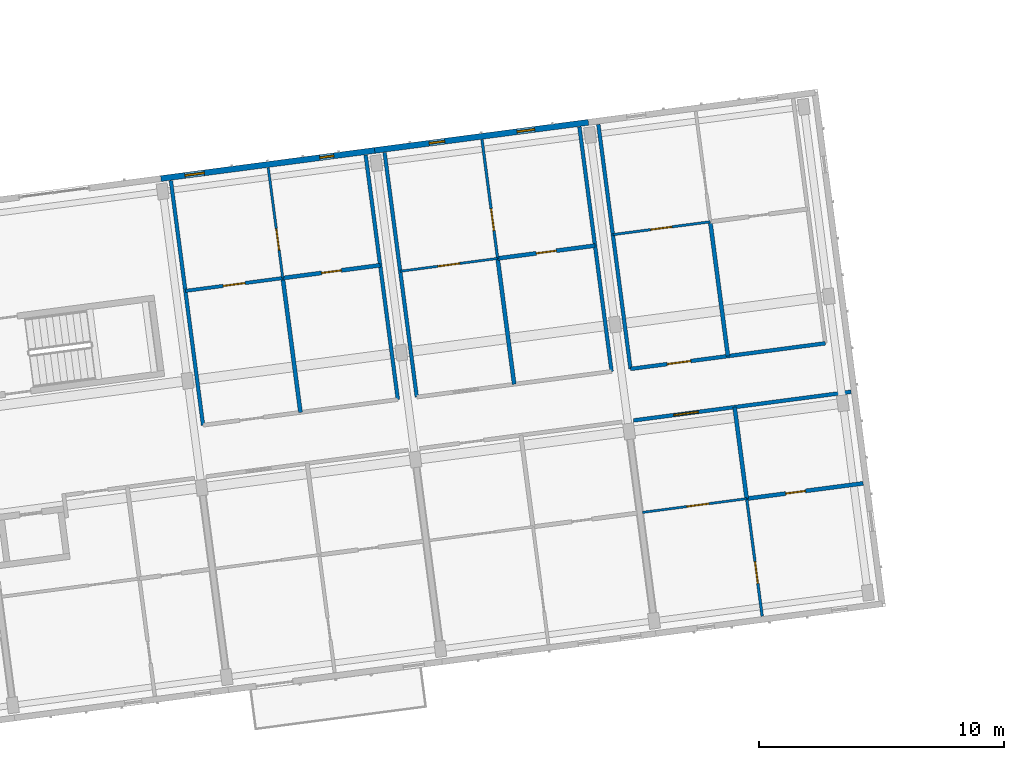
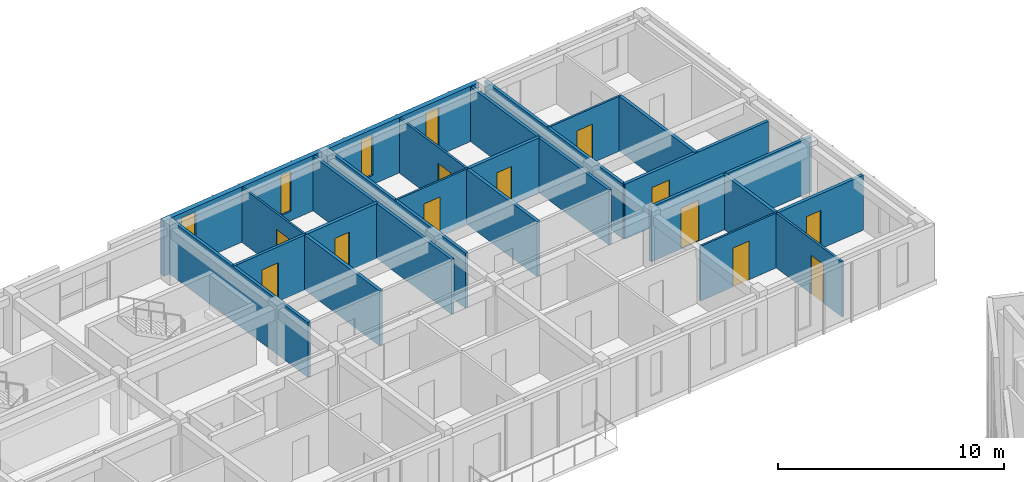
# One storey, part 21 of 45: 23 walls, 12 doors, 4 windows, 16 openings.
"""IFC4 building model written with IfcOpenShell, lengths in metres."""

from ifc_helpers import new_model, si_unit, direction, frame, frame_2d, origin, place, context, subcontext, project, spatial, rectangle, extrude, material, layer, layer_set, type_object, element, fill, save


model = new_model("IFC4")

# Units and contexts
model_context = context("Model", 3, precision=1e-05, world=origin(), true_north=direction((0.0, 1.0)))
body_context = subcontext(model_context, "Body", "Model", "MODEL_VIEW")
ifc_project = project(units=[si_unit("LENGTHUNIT", "METRE"), si_unit("AREAUNIT", "SQUARE_METRE"), si_unit("VOLUMEUNIT", "CUBIC_METRE"), si_unit("PLANEANGLEUNIT", "RADIAN"), si_unit("MASSUNIT", "GRAM", prefix="KILO")], contexts=[model_context])

# Site, building, storey
site_placement = place(None, origin())
site = spatial("IfcSite", under=ifc_project, at=site_placement, CompositionType="ELEMENT")
building_placement = place(site_placement, origin())
building = spatial("IfcBuilding", under=site, at=building_placement, Name="Kestramere Prow Commons", CompositionType="ELEMENT")
storey_placement = place(building_placement, frame((0.0, 0.0, 31.14990234375)))
storey = spatial("IfcBuildingStorey", under=building, at=storey_placement, Name="L09", CompositionType="ELEMENT", Elevation=31.14990234375)

# Wall, openings, windows
ifc_material_1 = material(Name="Fluoropolymer Standing-Seam Zinc-Aluminium Cladding", Category="aluminium")
ifc_layer_1 = layer(ifc_material_1, 0.239990234375)
ifc_layer_set_1 = layer_set([ifc_layer_1], Name="Fluoropolymer Standing-Seam Zinc-Aluminium Cladding")
wall_type_1 = type_object("IfcWallType", Name="EW-SEAM-240", PredefinedType="SOLIDWALL", material=ifc_layer_set_1)
wall_1_placement = place(storey_placement, frame((34.695068359375, 95.79541015625, 0.0), z_axis=(0.0, 0.0, 1.0), x_axis=(0.991447967712, 0.130502595073, 0.0)))
wall_1 = element("IfcWall", 1, at=wall_1_placement, inside=storey, type_object=wall_type_1, Name="Block A L09 North Standing-Seam Wall 4", PredefinedType="SOLIDWALL", context=body_context, shape_type="SweptSolid", body=[
    extrude(rectangle(XDim=8.800048828125, YDim=0.239990234375, at=frame_2d((4.39990234375, 0.0))), origin(), (0.0, 0.0, 1.0), 3.0),
])
opening_1_placement = place(wall_1_placement, frame((0.98876953125, 0.0, 0.43994140625)))
opening_1 = element("IfcOpeningElement", 2, at=opening_1_placement, cuts=wall_1, Name="Opening WN-12", PredefinedType="OPENING", context=body_context, shape_type="SweptSolid", body=[
    extrude(rectangle(XDim=0.800048828125, YDim=2.300048828125, at=frame_2d((0.39990234375, 1.14990234375))), frame((0.0, 0.135009765625, 0.0), z_axis=(0.0, -1.0, 0.0), x_axis=(1.0, 0.0, 0.0)), (0.0, 0.0, 1.0), 0.27001953125),
])
opening_2_placement = place(wall_1_placement, frame((6.5380859375, 0.0, 0.5)))
opening_2 = element("IfcOpeningElement", 3, at=opening_2_placement, cuts=wall_1, Name="Opening WN-01", PredefinedType="OPENING", context=body_context, shape_type="SweptSolid", body=[
    extrude(rectangle(XDim=0.580078125, YDim=2.159912109375, at=frame_2d((0.2900390625, 1.080078125))), frame((0.0, 0.135009765625, 0.0), z_axis=(0.0, -1.0, 0.0), x_axis=(1.0, 0.0, 0.0)), (0.0, 0.0, 1.0), 0.27001953125),
])
ifc_material_2 = material(Name="Low-E Laminated Double Glazing", Category="glass")
window_type_1 = type_object("IfcWindowType", Name="WN-NAR-580A", PartitioningType="SINGLE_PANEL", PredefinedType="WINDOW", material=ifc_material_2)
window_1_placement = place(opening_2_placement, origin())
window_1 = element("IfcWindow", 4, at=window_1_placement, inside=storey, type_object=window_type_1, Name="WN-A-L09-N-3-1", OverallHeight=2.159912109375, OverallWidth=0.580078125, PartitioningType="SINGLE_PANEL", PredefinedType="WINDOW", context=body_context, shape_type="SweptSolid", body=[
    extrude(rectangle(XDim=0.580078125, YDim=2.159912109375, at=frame_2d((0.2900390625, 1.080078125))), frame((0.0, 0.030029296875, 0.0), z_axis=(0.0, -1.0, 0.0), x_axis=(1.0, 0.0, 0.0)), (0.0, 0.0, 1.0), 0.06005859375),
])
fill(opening_2, window_1)
window_type_2 = type_object("IfcWindowType", Name="WN-NAR-800A", PartitioningType="SINGLE_PANEL", PredefinedType="WINDOW", material=ifc_material_2)
window_2_placement = place(opening_1_placement, origin())
window_2 = element("IfcWindow", 5, at=window_2_placement, inside=storey, type_object=window_type_2, Name="WN-A-L09-N-3-0", OverallHeight=2.300048828125, OverallWidth=0.800048828125, PartitioningType="SINGLE_PANEL", PredefinedType="WINDOW", context=body_context, shape_type="SweptSolid", body=[
    extrude(rectangle(XDim=0.800048828125, YDim=2.300048828125, at=frame_2d((0.39990234375, 1.14990234375))), frame((0.0, 0.030029296875, 0.0), z_axis=(0.0, -1.0, 0.0), x_axis=(1.0, 0.0, 0.0)), (0.0, 0.0, 1.0), 0.06005859375),
])
fill(opening_1, window_2)

wall_2_placement = place(storey_placement, frame((43.419921875, 96.94384765625, 0.0), z_axis=(0.0, 0.0, 1.0), x_axis=(0.991443905089, 0.130533455715, 0.0)))
wall_2 = element("IfcWall", 6, at=wall_2_placement, inside=storey, type_object=wall_type_1, Name="Block A L09 North Standing-Seam Wall 5", PredefinedType="SOLIDWALL", context=body_context, shape_type="SweptSolid", body=[
    extrude(rectangle(XDim=8.7998046875, YDim=0.239990234375, at=frame_2d((4.39990234375, 0.0))), origin(), (0.0, 0.0, 1.0), 3.0),
])
opening_3_placement = place(wall_2_placement, frame((2.2412109375, 0.0, 0.5)))
opening_3 = element("IfcOpeningElement", 7, at=opening_3_placement, cuts=wall_2, Name="Opening WN-04", PredefinedType="OPENING", context=body_context, shape_type="SweptSolid", body=[
    extrude(rectangle(XDim=0.639892578125, YDim=2.179931640625, at=frame_2d((0.31982421875, 1.08984375))), frame((0.0, 0.135009765625, 0.0), z_axis=(0.0, -1.0, 0.0), x_axis=(1.0, 0.0, 0.0)), (0.0, 0.0, 1.0), 0.27001953125),
])
opening_4_placement = place(wall_2_placement, frame((5.86083984375, 0.0, 0.43994140625)))
opening_4 = element("IfcOpeningElement", 8, at=opening_4_placement, cuts=wall_2, Name="Opening WN-08", PredefinedType="OPENING", context=body_context, shape_type="SweptSolid", body=[
    extrude(rectangle(XDim=0.719970703125, YDim=2.159912109375, at=frame_2d((0.35986328125, 1.080078125))), frame((0.0, 0.135009765625, 0.0), z_axis=(0.0, -1.0, 0.0), x_axis=(1.0, 0.0, 0.0)), (0.0, 0.0, 1.0), 0.27001953125),
])
window_type_3 = type_object("IfcWindowType", Name="WN-NAR-640A", PartitioningType="SINGLE_PANEL", PredefinedType="WINDOW", material=ifc_material_2)
window_3_placement = place(opening_3_placement, origin())
window_3 = element("IfcWindow", 9, at=window_3_placement, inside=storey, type_object=window_type_3, Name="WN-A-L09-N-4-0", OverallHeight=2.179931640625, OverallWidth=0.639892578125, PartitioningType="SINGLE_PANEL", PredefinedType="WINDOW", context=body_context, shape_type="SweptSolid", body=[
    extrude(rectangle(XDim=0.639892578125, YDim=2.179931640625, at=frame_2d((0.31982421875, 1.08984375))), frame((0.0, 0.030029296875, 0.0), z_axis=(0.0, -1.0, 0.0), x_axis=(1.0, 0.0, 0.0)), (0.0, 0.0, 1.0), 0.06005859375),
])
fill(opening_3, window_3)
window_type_4 = type_object("IfcWindowType", Name="WN-NAR-720A", PartitioningType="SINGLE_PANEL", PredefinedType="WINDOW", material=ifc_material_2)
window_4_placement = place(opening_4_placement, origin())
window_4 = element("IfcWindow", 10, at=window_4_placement, inside=storey, type_object=window_type_4, Name="WN-A-L09-N-4-1", OverallHeight=2.159912109375, OverallWidth=0.719970703125, PartitioningType="SINGLE_PANEL", PredefinedType="WINDOW", context=body_context, shape_type="SweptSolid", body=[
    extrude(rectangle(XDim=0.719970703125, YDim=2.159912109375, at=frame_2d((0.35986328125, 1.080078125))), frame((0.0, 0.030029296875, 0.0), z_axis=(0.0, -1.0, 0.0), x_axis=(1.0, 0.0, 0.0)), (0.0, 0.0, 1.0), 0.06005859375),
])
fill(opening_4, window_4)

# Wall, opening, door
ifc_material_3 = material(Name="Fire-Rated Calcium Silicate Wall")
ifc_layer_2 = layer(ifc_material_3, 0.155029296875)
ifc_layer_set_2 = layer_set([ifc_layer_2], Name="Fire-Rated Calcium Silicate Wall")
wall_type_2 = type_object("IfcWallType", Name="W-FIRE-150", PredefinedType="PARTITIONING", material=ifc_layer_set_2)
wall_3_placement = place(storey_placement, frame((53.983642578125, 85.923583984375, 0.0), z_axis=(0.0, 0.0, 1.0), x_axis=(0.991445946609, 0.130517948779, 0.0)))
wall_3 = element("IfcWall", 11, at=wall_3_placement, inside=storey, type_object=wall_type_2, Name="Interior Partition PW-A-L09-CS-5", PredefinedType="PARTITIONING", context=body_context, shape_type="SweptSolid", body=[
    extrude(rectangle(XDim=8.9599609375, YDim=0.155029296875, at=frame_2d((4.47998046875, 0.0))), origin(), (0.0, 0.0, 1.0), 2.97021484375),
])
opening_5_placement = place(wall_3_placement, frame((1.655029296875, 0.0, 0.0)))
opening_5 = element("IfcOpeningElement", 12, at=opening_5_placement, cuts=wall_3, Name="Opening ID-05", PredefinedType="OPENING", context=body_context, shape_type="SweptSolid", body=[
    extrude(rectangle(XDim=1.02001953125, YDim=2.199951171875, at=frame_2d((0.510009765625, 1.10009765625))), frame((0.0, 0.092529296875, 0.0), z_axis=(0.0, -1.0, 0.0), x_axis=(1.0, 0.0, 0.0)), (0.0, 0.0, 1.0), 0.18505859375),
])
ifc_material_4 = material(Name="Hardwood Fire-Rated Flat Entrance Door", Category="wood")
door_type_1 = type_object("IfcDoorType", Name="FD-ENT-02", OperationType="NOTDEFINED", PredefinedType="DOOR", material=ifc_material_4)
door_1_placement = place(opening_5_placement, origin())
door_1 = element("IfcDoor", 13, at=door_1_placement, inside=storey, type_object=door_type_1, Name="Interior Door DR-A-L09-ENT-S5", OperationType="SINGLE_SWING_LEFT", OverallHeight=2.199951171875, OverallWidth=1.02001953125, PredefinedType="DOOR", context=body_context, shape_type="SweptSolid", body=[
    extrude(rectangle(XDim=1.02001953125, YDim=2.199951171875, at=frame_2d((0.510009765625, 1.10009765625))), frame((0.0, 0.02490234375, 0.0), z_axis=(0.0, -1.0, 0.0), x_axis=(1.0, 0.0, 0.0)), (0.0, 0.0, 1.0), 0.050048828125),
])
fill(opening_5, door_1)

wall_4_placement = place(storey_placement, frame((53.86328125, 88.02587890625, 0.0), z_axis=(0.0, 0.0, 1.0), x_axis=(0.991447973994, 0.130502547346, 0.0)))
wall_4 = element("IfcWall", 14, at=wall_4_placement, inside=storey, type_object=wall_type_2, Name="Interior Partition PW-A-L09-CN-5", PredefinedType="PARTITIONING", context=body_context, shape_type="SweptSolid", body=[
    extrude(rectangle(XDim=8.02001953125, YDim=0.155029296875, at=frame_2d((4.010009765625, 0.0))), origin(), (0.0, 0.0, 1.0), 2.97021484375),
])
opening_6_placement = place(wall_4_placement, frame((1.5048828125, 0.0, 0.0)))
opening_6 = element("IfcOpeningElement", 15, at=opening_6_placement, cuts=wall_4, Name="Opening ID-04", PredefinedType="OPENING", context=body_context, shape_type="SweptSolid", body=[
    extrude(rectangle(XDim=0.97998046875, YDim=2.14990234375, at=frame_2d((0.489990234375, 1.074951171875))), frame((0.0, 0.092529296875, 0.0), z_axis=(0.0, -1.0, 0.0), x_axis=(1.0, 0.0, 0.0)), (0.0, 0.0, 1.0), 0.18505859375),
])
door_type_2 = type_object("IfcDoorType", Name="FD-ENT-01", OperationType="NOTDEFINED", PredefinedType="DOOR", material=ifc_material_4)
door_2_placement = place(opening_6_placement, origin())
door_2 = element("IfcDoor", 16, at=door_2_placement, inside=storey, type_object=door_type_2, Name="Interior Door DR-A-L09-ENT-N5", OperationType="SINGLE_SWING_RIGHT", OverallHeight=2.14990234375, OverallWidth=0.97998046875, PredefinedType="DOOR", context=body_context, shape_type="SweptSolid", body=[
    extrude(rectangle(XDim=0.97998046875, YDim=2.14990234375, at=frame_2d((0.489990234375, 1.074951171875))), frame((0.0, 0.02490234375, 0.0), z_axis=(0.0, -1.0, 0.0), x_axis=(1.0, 0.0, 0.0)), (0.0, 0.0, 1.0), 0.050048828125),
])
fill(opening_6, door_2)

ifc_material_5 = material(Name="Gypsum Acoustic Drywall")
ifc_layer_3 = layer(ifc_material_5, 0.10009765625)
ifc_layer_set_3 = layer_set([ifc_layer_3], Name="Gypsum Acoustic Drywall")
wall_type_3 = type_object("IfcWallType", Name="W-PART-100", PredefinedType="PARTITIONING", material=ifc_layer_set_3)
wall_5_placement = place(storey_placement, frame((39.667724609375, 91.734619140625, 0.0), z_axis=(0.0, 0.0, 1.0), x_axis=(-0.130564403497, 0.991439830015, 0.0)))
wall_5 = element("IfcWall", 17, at=wall_5_placement, inside=storey, type_object=wall_type_3, Name="Interior Partition PW-A-L09-LB-N3", PredefinedType="PARTITIONING", context=body_context, shape_type="SweptSolid", body=[
    extrude(rectangle(XDim=4.5400390625, YDim=0.10009765625, at=frame_2d((2.27001953125, 0.0))), origin(), (0.0, 0.0, 1.0), 2.97021484375),
])
opening_7_placement = place(wall_5_placement, frame((1.14990234375, 0.0, 0.0)))
opening_7 = element("IfcOpeningElement", 18, at=opening_7_placement, cuts=wall_5, Name="Opening ID-10", PredefinedType="OPENING", context=body_context, shape_type="SweptSolid", body=[
    extrude(rectangle(XDim=0.8798828125, YDim=2.10009765625, at=frame_2d((0.43994140625, 1.050048828125))), frame((0.0, 0.06494140625, 0.0), z_axis=(0.0, -1.0, 0.0), x_axis=(1.0, 0.0, 0.0)), (0.0, 0.0, 1.0), 0.130126953125),
])
ifc_material_6 = material(Name="Engineered Timber Bedroom Door", Category="wood")
door_type_3 = type_object("IfcDoorType", Name="D-RM-03", OperationType="NOTDEFINED", PredefinedType="DOOR", material=ifc_material_6)
door_3_placement = place(opening_7_placement, origin())
door_3 = element("IfcDoor", 19, at=door_3_placement, inside=storey, type_object=door_type_3, Name="Interior Door DR-A-L09-BED-N3", OperationType="SINGLE_SWING_LEFT", OverallHeight=2.10009765625, OverallWidth=0.8798828125, PredefinedType="DOOR", context=body_context, shape_type="SweptSolid", body=[
    extrude(rectangle(XDim=0.8798828125, YDim=2.10009765625, at=frame_2d((0.43994140625, 1.050048828125))), frame((0.0, 0.02490234375, 0.0), z_axis=(0.0, -1.0, 0.0), x_axis=(1.0, 0.0, 0.0)), (0.0, 0.0, 1.0), 0.050048828125),
])
fill(opening_7, door_3)

wall_6_placement = place(storey_placement, frame((53.141357421875, 93.508544921875, 0.0), z_axis=(0.0, 0.0, 1.0), x_axis=(0.991444553502, 0.130528530716, 0.0)))
wall_6 = element("IfcWall", 20, at=wall_6_placement, inside=storey, type_object=wall_type_3, Name="Interior Partition PW-A-L09-MIDN1-5", PredefinedType="PARTITIONING", context=body_context, shape_type="SweptSolid", body=[
    extrude(rectangle(XDim=4.01025390625, YDim=0.10009765625, at=frame_2d((2.005126953125, 0.0))), origin(), (0.0, 0.0, 1.0), 2.97021484375),
])
opening_8_placement = place(wall_6_placement, frame((1.554931640625, 0.0, 0.0)))
opening_8 = element("IfcOpeningElement", 21, at=opening_8_placement, cuts=wall_6, Name="Opening ID-10", PredefinedType="OPENING", context=body_context, shape_type="SweptSolid", body=[
    extrude(rectangle(XDim=0.8798828125, YDim=2.10009765625, at=frame_2d((0.43994140625, 1.050048828125))), frame((0.0, 0.06494140625, 0.0), z_axis=(0.0, -1.0, 0.0), x_axis=(1.0, 0.0, 0.0)), (0.0, 0.0, 1.0), 0.130126953125),
])
door_4_placement = place(opening_8_placement, origin())
door_4 = element("IfcDoor", 22, at=door_4_placement, inside=storey, type_object=door_type_3, Name="Interior Door DR-A-L09-KL-N5", OperationType="SINGLE_SWING_LEFT", OverallHeight=2.10009765625, OverallWidth=0.8798828125, PredefinedType="DOOR", context=body_context, shape_type="SweptSolid", body=[
    extrude(rectangle(XDim=0.8798828125, YDim=2.10009765625, at=frame_2d((0.43994140625, 1.050048828125))), frame((0.0, 0.02490234375, 0.0), z_axis=(0.0, -1.0, 0.0), x_axis=(1.0, 0.0, 0.0)), (0.0, 0.0, 1.0), 0.050048828125),
])
fill(opening_8, door_4)

ifc_layer_4 = layer(ifc_material_5, 0.110107421875)
ifc_layer_set_4 = layer_set([ifc_layer_4], Name="Gypsum Acoustic Drywall")
wall_type_4 = type_object("IfcWallType", Name="W-PART-110", PredefinedType="PARTITIONING", material=ifc_layer_set_4)
wall_7_placement = place(storey_placement, frame((59.23681640625, 77.930908203125, 0.0), z_axis=(0.0, 0.0, 1.0), x_axis=(-0.130544545786, 0.991442444908, 0.0)))
wall_7 = element("IfcWall", 23, at=wall_7_placement, inside=storey, type_object=wall_type_4, Name="Interior Partition PW-A-L09-LB-S5", PredefinedType="PARTITIONING", context=body_context, shape_type="SweptSolid", body=[
    extrude(rectangle(XDim=4.840087890625, YDim=0.110107421875, at=frame_2d((2.419921875, 0.0))), origin(), (0.0, 0.0, 1.0), 2.97021484375),
])
opening_9_placement = place(wall_7_placement, frame((1.35009765625, 0.0, 0.0)))
opening_9 = element("IfcOpeningElement", 24, at=opening_9_placement, cuts=wall_7, Name="Opening ID-08", PredefinedType="OPENING", context=body_context, shape_type="SweptSolid", body=[
    extrude(rectangle(XDim=0.89990234375, YDim=2.10009765625, at=frame_2d((0.449951171875, 1.050048828125))), frame((0.0, 0.070068359375, 0.0), z_axis=(0.0, -1.0, 0.0), x_axis=(1.0, 0.0, 0.0)), (0.0, 0.0, 1.0), 0.14013671875),
])
ifc_material_7 = material(Name="Engineered Timber Flush Door", Category="wood")
door_type_4 = type_object("IfcDoorType", Name="D-RM-01", OperationType="NOTDEFINED", PredefinedType="DOOR", material=ifc_material_7)
door_5_placement = place(opening_9_placement, origin())
door_5 = element("IfcDoor", 25, at=door_5_placement, inside=storey, type_object=door_type_4, Name="Interior Door DR-A-L09-BED-S5", OperationType="SINGLE_SWING_RIGHT", OverallHeight=2.10009765625, OverallWidth=0.89990234375, PredefinedType="DOOR", context=body_context, shape_type="SweptSolid", body=[
    extrude(rectangle(XDim=0.89990234375, YDim=2.10009765625, at=frame_2d((0.449951171875, 1.050048828125))), frame((0.0, 0.02490234375, 0.0), z_axis=(0.0, -1.0, 0.0), x_axis=(1.0, 0.0, 0.0)), (0.0, 0.0, 1.0), 0.050048828125),
])
fill(opening_9, door_5)

wall_8_placement = place(storey_placement, frame((48.43798828125, 92.5361328125, 0.0), z_axis=(0.0, 0.0, 1.0), x_axis=(-0.130508755558, 0.991447156798, 0.0)))
wall_8 = element("IfcWall", 26, at=wall_8_placement, inside=storey, type_object=wall_type_4, Name="Interior Partition PW-A-L09-LB-N4", PredefinedType="PARTITIONING", context=body_context, shape_type="SweptSolid", body=[
    extrude(rectangle(XDim=4.889892578125, YDim=0.110107421875, at=frame_2d((2.44482421875, 0.0))), origin(), (0.0, 0.0, 1.0), 2.97021484375),
])
opening_10_placement = place(wall_8_placement, frame((1.14990234375, 0.0, 0.0)))
opening_10 = element("IfcOpeningElement", 27, at=opening_10_placement, cuts=wall_8, Name="Opening ID-08", PredefinedType="OPENING", context=body_context, shape_type="SweptSolid", body=[
    extrude(rectangle(XDim=0.89990234375, YDim=2.10009765625, at=frame_2d((0.449951171875, 1.050048828125))), frame((0.0, 0.070068359375, 0.0), z_axis=(0.0, -1.0, 0.0), x_axis=(1.0, 0.0, 0.0)), (0.0, 0.0, 1.0), 0.14013671875),
])
door_6_placement = place(opening_10_placement, origin())
door_6 = element("IfcDoor", 28, at=door_6_placement, inside=storey, type_object=door_type_4, Name="Interior Door DR-A-L09-BED-N4", OperationType="SINGLE_SWING_LEFT", OverallHeight=2.10009765625, OverallWidth=0.89990234375, PredefinedType="DOOR", context=body_context, shape_type="SweptSolid", body=[
    extrude(rectangle(XDim=0.89990234375, YDim=2.10009765625, at=frame_2d((0.449951171875, 1.050048828125))), frame((0.0, 0.02490234375, 0.0), z_axis=(0.0, -1.0, 0.0), x_axis=(1.0, 0.0, 0.0)), (0.0, 0.0, 1.0), 0.050048828125),
])
fill(opening_10, door_6)

ifc_material_8 = material(Name="Masonry Compartment Wall", Category="masonry")
ifc_layer_5 = layer(ifc_material_8, 0.139892578125)
ifc_layer_set_5 = layer_set([ifc_layer_5], Name="Masonry Compartment Wall")
wall_type_5 = type_object("IfcWallType", Name="W-PART-140", PredefinedType="PARTITIONING", material=ifc_layer_set_5)
wall_9_placement = place(storey_placement, frame((35.69189453125, 91.211181640625, 0.0), z_axis=(0.0, 0.0, 1.0), x_axis=(0.991444553502, 0.130528530716, 0.0)))
wall_9 = element("IfcWall", 29, at=wall_9_placement, inside=storey, type_object=wall_type_5, Name="Interior Partition PW-A-L09-MIDN1-3", PredefinedType="PARTITIONING", context=body_context, shape_type="SweptSolid", body=[
    extrude(rectangle(XDim=4.01025390625, YDim=0.139892578125, at=frame_2d((2.005126953125, 0.0))), origin(), (0.0, 0.0, 1.0), 2.97021484375),
])
opening_11_placement = place(wall_9_placement, frame((1.554931640625, 0.0, 0.0)))
opening_11 = element("IfcOpeningElement", 30, at=opening_11_placement, cuts=wall_9, Name="Opening ID-08", PredefinedType="OPENING", context=body_context, shape_type="SweptSolid", body=[
    extrude(rectangle(XDim=0.89990234375, YDim=2.10009765625, at=frame_2d((0.449951171875, 1.050048828125))), frame((0.0, 0.0849609375, 0.0), z_axis=(0.0, -1.0, 0.0), x_axis=(1.0, 0.0, 0.0)), (0.0, 0.0, 1.0), 0.169921875),
])
door_7_placement = place(opening_11_placement, origin())
door_7 = element("IfcDoor", 31, at=door_7_placement, inside=storey, type_object=door_type_4, Name="Interior Door DR-A-L09-KL-N3", OperationType="SINGLE_SWING_LEFT", OverallHeight=2.10009765625, OverallWidth=0.89990234375, PredefinedType="DOOR", context=body_context, shape_type="SweptSolid", body=[
    extrude(rectangle(XDim=0.89990234375, YDim=2.10009765625, at=frame_2d((0.449951171875, 1.050048828125))), frame((0.0, 0.02490234375, 0.0), z_axis=(0.0, -1.0, 0.0), x_axis=(1.0, 0.0, 0.0)), (0.0, 0.0, 1.0), 0.050048828125),
])
fill(opening_11, door_7)

# Walls
ifc_layer_6 = layer(ifc_material_8, 0.14990234375)
ifc_layer_set_6 = layer_set([ifc_layer_6], Name="Masonry Compartment Wall")
wall_type_6 = type_object("IfcWallType", Name="W-PART-150", PredefinedType="PARTITIONING", material=ifc_layer_set_6)
for number, where, z_axis, x_axis, name in (
    (32, (36.413818359375, 85.728515625, 0.0), (0.0, 0.0, 1.0), (-0.130531024319, 0.991444225204, 0.0), "Interior Partition PW-A-L09-NWL-3"),
    (33, (44.365234375, 86.775390625, 0.0), (0.0, 0.0, 1.0), (-0.130531024319, 0.991444225204, 0.0), "Interior Partition PW-A-L09-NWR-3"),
    (34, (45.138427734375, 86.877197265625, 0.0), (0.0, 0.0, 1.0), (-0.130531024319, 0.991444225204, 0.0), "Interior Partition PW-A-L09-NWL-4"),
):
    element("IfcWall", number, at=place(storey_placement, frame(where, z_axis=z_axis, x_axis=x_axis)), inside=storey, type_object=wall_type_6, Name=name, PredefinedType="PARTITIONING", context=body_context, shape_type="SweptSolid", body=[
        extrude(rectangle(XDim=10.070068359375, YDim=0.14990234375, at=frame_2d((5.03515625, 0.0))), origin(), (0.0, 0.0, 1.0), 2.97021484375),
    ])
for number, where, z_axis, x_axis, name in (
    (35, (53.08984375, 87.924072265625, 0.0), (0.0, 0.0, 1.0), (-0.130534161944, 0.991443812107, 0.0), "Interior Partition PW-A-L09-NWR-4"),
    (36, (53.86328125, 88.02587890625, 0.0), (0.0, 0.0, 1.0), (-0.130534161944, 0.991443812107, 0.0), "Interior Partition PW-A-L09-NWL-5"),
):
    element("IfcWall", number, at=place(storey_placement, frame(where, z_axis=z_axis, x_axis=x_axis)), inside=storey, type_object=wall_type_6, Name=name, PredefinedType="PARTITIONING", context=body_context, shape_type="SweptSolid", body=[
        extrude(rectangle(XDim=10.06982421875, YDim=0.14990234375, at=frame_2d((5.034912109375, 0.0))), origin(), (0.0, 0.0, 1.0), 2.97021484375),
    ])

# Wall, opening, door
ifc_layer_7 = layer(ifc_material_5, 0.094970703125)
ifc_layer_set_7 = layer_set([ifc_layer_7], Name="Gypsum Acoustic Drywall")
wall_type_7 = type_object("IfcWallType", Name="W-PART-95", PredefinedType="PARTITIONING", material=ifc_layer_set_7)
wall_10_placement = place(storey_placement, frame((54.356689453125, 82.170166015625, 0.0), z_axis=(0.0, 0.0, 1.0), x_axis=(0.991444014242, 0.130532626667, 0.0)))
wall_10 = element("IfcWall", 37, at=wall_10_placement, inside=storey, type_object=wall_type_7, Name="Interior Partition PW-A-L09-MIDS1-5", PredefinedType="PARTITIONING", context=body_context, shape_type="SweptSolid", body=[
    extrude(rectangle(XDim=4.284912109375, YDim=0.094970703125, at=frame_2d((2.142578125, 0.0))), origin(), (0.0, 0.0, 1.0), 2.97021484375),
])
opening_12_placement = place(wall_10_placement, frame((1.824951171875, 0.0, 0.0)))
opening_12 = element("IfcOpeningElement", 38, at=opening_12_placement, cuts=wall_10, Name="Opening ID-08", PredefinedType="OPENING", context=body_context, shape_type="SweptSolid", body=[
    extrude(rectangle(XDim=0.89990234375, YDim=2.10009765625, at=frame_2d((0.449951171875, 1.050048828125))), frame((0.0, 0.0625, 0.0), z_axis=(0.0, -1.0, 0.0), x_axis=(1.0, 0.0, 0.0)), (0.0, 0.0, 1.0), 0.125),
])
door_8_placement = place(opening_12_placement, origin())
door_8 = element("IfcDoor", 39, at=door_8_placement, inside=storey, type_object=door_type_4, Name="Interior Door DR-A-L09-KL-S5", OperationType="SINGLE_SWING_RIGHT", OverallHeight=2.10009765625, OverallWidth=0.89990234375, PredefinedType="DOOR", context=body_context, shape_type="SweptSolid", body=[
    extrude(rectangle(XDim=0.89990234375, YDim=2.10009765625, at=frame_2d((0.449951171875, 1.050048828125))), frame((0.0, 0.02490234375, 0.0), z_axis=(0.0, -1.0, 0.0), x_axis=(1.0, 0.0, 0.0)), (0.0, 0.0, 1.0), 0.050048828125),
])
fill(opening_12, door_8)

wall_11_placement = place(storey_placement, frame((44.46240234375, 92.012939453125, 0.0), z_axis=(0.0, 0.0, 1.0), x_axis=(0.991451394038, 0.130476562111, 0.0)))
wall_11 = element("IfcWall", 40, at=wall_11_placement, inside=storey, type_object=wall_type_7, Name="Interior Partition PW-A-L09-MIDN1-4", PredefinedType="PARTITIONING", context=body_context, shape_type="SweptSolid", body=[
    extrude(rectangle(XDim=4.009765625, YDim=0.094970703125, at=frame_2d((2.0048828125, 0.0))), origin(), (0.0, 0.0, 1.0), 2.97021484375),
])
opening_13_placement = place(wall_11_placement, frame((1.554931640625, 0.0, 0.0)))
opening_13 = element("IfcOpeningElement", 41, at=opening_13_placement, cuts=wall_11, Name="Opening ID-08", PredefinedType="OPENING", context=body_context, shape_type="SweptSolid", body=[
    extrude(rectangle(XDim=0.89990234375, YDim=2.10009765625, at=frame_2d((0.449951171875, 1.050048828125))), frame((0.0, 0.0625, 0.0), z_axis=(0.0, -1.0, 0.0), x_axis=(1.0, 0.0, 0.0)), (0.0, 0.0, 1.0), 0.125),
])
door_9_placement = place(opening_13_placement, origin())
door_9 = element("IfcDoor", 42, at=door_9_placement, inside=storey, type_object=door_type_4, Name="Interior Door DR-A-L09-KL-N4", OperationType="SINGLE_SWING_LEFT", OverallHeight=2.10009765625, OverallWidth=0.89990234375, PredefinedType="DOOR", context=body_context, shape_type="SweptSolid", body=[
    extrude(rectangle(XDim=0.89990234375, YDim=2.10009765625, at=frame_2d((0.449951171875, 1.050048828125))), frame((0.0, 0.02490234375, 0.0), z_axis=(0.0, -1.0, 0.0), x_axis=(1.0, 0.0, 0.0)), (0.0, 0.0, 1.0), 0.050048828125),
])
fill(opening_13, door_9)

ifc_material_9 = material(Name="Waterproof Sanitary Masonry Wall", Category="masonry")
ifc_layer_8 = layer(ifc_material_9, 0.1650390625)
ifc_layer_set_8 = layer_set([ifc_layer_8], Name="Waterproof Sanitary Masonry Wall")
wall_type_8 = type_object("IfcWallType", Name="W-PLUMB-150", PredefinedType="PLUMBINGWALL", material=ifc_layer_set_8)
wall_12_placement = place(storey_placement, frame((58.60498046875, 82.7294921875, 0.0), z_axis=(0.0, 0.0, 1.0), x_axis=(0.991449269254, 0.130492706676, 0.0)))
wall_12 = element("IfcWall", 43, at=wall_12_placement, inside=storey, type_object=wall_type_8, Name="Interior Partition PW-A-L09-MIDS2-5", PredefinedType="PLUMBINGWALL", context=body_context, shape_type="SweptSolid", body=[
    extrude(rectangle(XDim=4.795166015625, YDim=0.1650390625, at=frame_2d((2.3974609375, 0.0))), origin(), (0.0, 0.0, 1.0), 2.97021484375),
])
opening_14_placement = place(wall_12_placement, frame((1.60009765625, 0.0, 0.0)))
opening_14 = element("IfcOpeningElement", 44, at=opening_14_placement, cuts=wall_12, Name="Opening ID-11", PredefinedType="OPENING", context=body_context, shape_type="SweptSolid", body=[
    extrude(rectangle(XDim=0.820068359375, YDim=2.080078125, at=frame_2d((0.41015625, 1.0400390625))), frame((0.0, 0.097412109375, 0.0), z_axis=(0.0, -1.0, 0.0), x_axis=(1.0, 0.0, 0.0)), (0.0, 0.0, 1.0), 0.195068359375),
])
ifc_material_10 = material(Name="Moisture-Resistant Timber Bathroom Door", Category="wood")
door_type_5 = type_object("IfcDoorType", Name="D-BT-01", OperationType="NOTDEFINED", PredefinedType="DOOR", material=ifc_material_10)
door_10_placement = place(opening_14_placement, origin())
door_10 = element("IfcDoor", 45, at=door_10_placement, inside=storey, type_object=door_type_5, Name="Interior Door DR-A-L09-BTH-S5", OperationType="SINGLE_SWING_LEFT", OverallHeight=2.080078125, OverallWidth=0.820068359375, PredefinedType="DOOR", context=body_context, shape_type="SweptSolid", body=[
    extrude(rectangle(XDim=0.820068359375, YDim=2.080078125, at=frame_2d((0.41015625, 1.0400390625))), frame((0.0, 0.02490234375, 0.0), z_axis=(0.0, -1.0, 0.0), x_axis=(1.0, 0.0, 0.0)), (0.0, 0.0, 1.0), 0.050048828125),
])
fill(opening_14, door_10)

# Wall
wall_13_placement = place(storey_placement, frame((58.60498046875, 82.7294921875, 0.0), z_axis=(0.0, 0.0, 1.0), x_axis=(-0.130496394248, 0.991448783896, 0.0)))
element("IfcWall", 46, at=wall_13_placement, inside=storey, type_object=wall_type_8, Name="Interior Partition PW-A-L09-KB-S5", PredefinedType="PLUMBINGWALL", context=body_context, shape_type="SweptSolid", body=[
    extrude(rectangle(XDim=3.769775390625, YDim=0.1650390625, at=frame_2d((1.884765625, 0.0))), origin(), (0.0, 0.0, 1.0), 2.97021484375),
])

# Wall, opening, door
wall_14_placement = place(storey_placement, frame((39.667724609375, 91.734619140625, 0.0), z_axis=(0.0, 0.0, 1.0), x_axis=(0.991443516139, 0.130536409887, 0.0)))
wall_14 = element("IfcWall", 47, at=wall_14_placement, inside=storey, type_object=wall_type_8, Name="Interior Partition PW-A-L09-MIDN2-3", PredefinedType="PLUMBINGWALL", context=body_context, shape_type="SweptSolid", body=[
    extrude(rectangle(XDim=4.010009765625, YDim=0.1650390625, at=frame_2d((2.0048828125, 0.0))), origin(), (0.0, 0.0, 1.0), 2.97021484375),
])
opening_15_placement = place(wall_14_placement, frame((1.594970703125, 0.0, 0.0)))
opening_15 = element("IfcOpeningElement", 48, at=opening_15_placement, cuts=wall_14, Name="Opening ID-11", PredefinedType="OPENING", context=body_context, shape_type="SweptSolid", body=[
    extrude(rectangle(XDim=0.820068359375, YDim=2.080078125, at=frame_2d((0.41015625, 1.0400390625))), frame((0.0, 0.097412109375, 0.0), z_axis=(0.0, -1.0, 0.0), x_axis=(1.0, 0.0, 0.0)), (0.0, 0.0, 1.0), 0.195068359375),
])
door_11_placement = place(opening_15_placement, origin())
door_11 = element("IfcDoor", 49, at=door_11_placement, inside=storey, type_object=door_type_5, Name="Interior Door DR-A-L09-BTH-N3", OperationType="SINGLE_SWING_RIGHT", OverallHeight=2.080078125, OverallWidth=0.820068359375, PredefinedType="DOOR", context=body_context, shape_type="SweptSolid", body=[
    extrude(rectangle(XDim=0.820068359375, YDim=2.080078125, at=frame_2d((0.41015625, 1.0400390625))), frame((0.0, 0.02490234375, 0.0), z_axis=(0.0, -1.0, 0.0), x_axis=(1.0, 0.0, 0.0)), (0.0, 0.0, 1.0), 0.050048828125),
])
fill(opening_15, door_11)

# Wall
wall_15_placement = place(storey_placement, frame((40.389404296875, 86.251953125, 0.0), z_axis=(0.0, 0.0, 1.0), x_axis=(-0.130503619975, 0.991447832805, 0.0)))
element("IfcWall", 50, at=wall_15_placement, inside=storey, type_object=wall_type_8, Name="Interior Partition PW-A-L09-KB-N3", PredefinedType="PLUMBINGWALL", context=body_context, shape_type="SweptSolid", body=[
    extrude(rectangle(XDim=5.530029296875, YDim=0.1650390625, at=frame_2d((2.76513671875, 0.0))), origin(), (0.0, 0.0, 1.0), 2.97021484375),
])

# Wall, opening, door
wall_16_placement = place(storey_placement, frame((48.43798828125, 92.5361328125, 0.0), z_axis=(0.0, 0.0, 1.0), x_axis=(0.991444553502, 0.130528530716, 0.0)))
wall_16 = element("IfcWall", 51, at=wall_16_placement, inside=storey, type_object=wall_type_8, Name="Interior Partition PW-A-L09-MIDN2-4", PredefinedType="PLUMBINGWALL", context=body_context, shape_type="SweptSolid", body=[
    extrude(rectangle(XDim=4.01025390625, YDim=0.1650390625, at=frame_2d((2.005126953125, 0.0))), origin(), (0.0, 0.0, 1.0), 2.97021484375),
])
opening_16_placement = place(wall_16_placement, frame((1.594970703125, 0.0, 0.0)))
opening_16 = element("IfcOpeningElement", 52, at=opening_16_placement, cuts=wall_16, Name="Opening ID-11", PredefinedType="OPENING", context=body_context, shape_type="SweptSolid", body=[
    extrude(rectangle(XDim=0.820068359375, YDim=2.080078125, at=frame_2d((0.41015625, 1.0400390625))), frame((0.0, 0.097412109375, 0.0), z_axis=(0.0, -1.0, 0.0), x_axis=(1.0, 0.0, 0.0)), (0.0, 0.0, 1.0), 0.195068359375),
])
door_12_placement = place(opening_16_placement, origin())
door_12 = element("IfcDoor", 53, at=door_12_placement, inside=storey, type_object=door_type_5, Name="Interior Door DR-A-L09-BTH-N4", OperationType="SINGLE_SWING_RIGHT", OverallHeight=2.080078125, OverallWidth=0.820068359375, PredefinedType="DOOR", context=body_context, shape_type="SweptSolid", body=[
    extrude(rectangle(XDim=0.820068359375, YDim=2.080078125, at=frame_2d((0.41015625, 1.0400390625))), frame((0.0, 0.02490234375, 0.0), z_axis=(0.0, -1.0, 0.0), x_axis=(1.0, 0.0, 0.0)), (0.0, 0.0, 1.0), 0.050048828125),
])
fill(opening_16, door_12)

# Walls
wall_17_placement = place(storey_placement, frame((49.1142578125, 87.400634765625, 0.0), z_axis=(0.0, 0.0, 1.0), x_axis=(-0.130558146496, 0.99144065399, 0.0)))
element("IfcWall", 54, at=wall_17_placement, inside=storey, type_object=wall_type_8, Name="Interior Partition PW-A-L09-KB-N4", PredefinedType="PLUMBINGWALL", context=body_context, shape_type="SweptSolid", body=[
    extrude(rectangle(XDim=5.179931640625, YDim=0.1650390625, at=frame_2d((2.58984375, 0.0))), origin(), (0.0, 0.0, 1.0), 2.97021484375),
])
wall_18_placement = place(storey_placement, frame((57.8388671875, 88.549072265625, 0.0), z_axis=(0.0, 0.0, 1.0), x_axis=(-0.130497907928, 0.991448584661, 0.0)))
element("IfcWall", 55, at=wall_18_placement, inside=storey, type_object=wall_type_8, Name="Interior Partition PW-A-L09-KB-N5", PredefinedType="PLUMBINGWALL", context=body_context, shape_type="SweptSolid", body=[
    extrude(rectangle(XDim=5.5302734375, YDim=0.1650390625, at=frame_2d((2.76513671875, 0.0))), origin(), (0.0, 0.0, 1.0), 2.97021484375),
])

save(model, "model.ifc")
